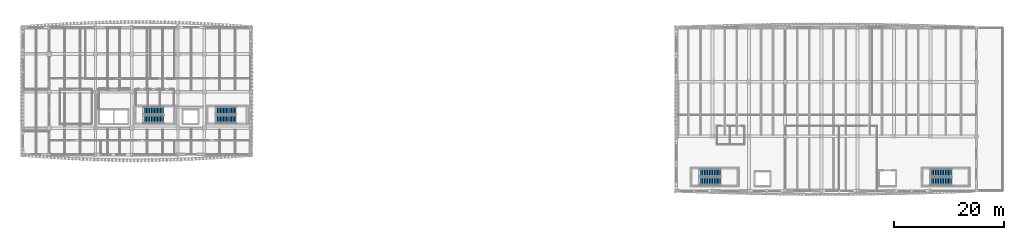
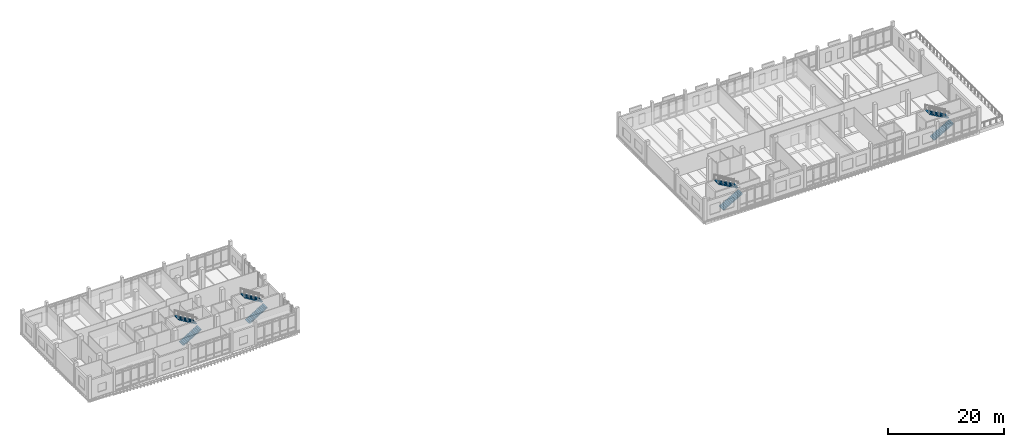
# One storey, part 26 of 39: 8 stair flights, 4 elements without a shape of their own.
"""IFC4 building model written with IfcOpenShell, lengths in metres."""

from ifc_helpers import new_model, si_unit, direction, frame, origin, place, context, subcontext, project, spatial, polyline, outline, extrude, material, type_object, element, aggregate, save


model = new_model("IFC4")

# Units and contexts
model_context = context("Model", 3, precision=1e-05, world=origin(), true_north=direction((0.0, 1.0)))
body_context = subcontext(model_context, "Body", "Model", "MODEL_VIEW")
ifc_project = project(units=[si_unit("LENGTHUNIT", "METRE"), si_unit("AREAUNIT", "SQUARE_METRE"), si_unit("VOLUMEUNIT", "CUBIC_METRE"), si_unit("PLANEANGLEUNIT", "RADIAN"), si_unit("MASSUNIT", "GRAM", prefix="KILO")], contexts=[model_context])

# Site, building, storey
site_placement = place(None, origin())
site = spatial("IfcSite", under=ifc_project, at=site_placement, CompositionType="ELEMENT")
building_placement = place(site_placement, origin())
building = spatial("IfcBuilding", under=site, at=building_placement, Name="Dornvale Research Institute", CompositionType="ELEMENT")
storey_placement = place(building_placement, frame((0.0, 0.0, 24.60009765625)))
storey = spatial("IfcBuildingStorey", under=building, at=storey_placement, Name="L05", CompositionType="ELEMENT", Elevation=24.60009765625)

# Stair, stair flights
ifc_material_1 = material(Name="Concrete f'c 45 MPa (C35/45)", Category="concrete")
stair_type = type_object("IfcStairType", Name="HalfTurnStair_RC", PredefinedType="HALF_TURN_STAIR", material=ifc_material_1)
stair_1_placement = place(storey_placement, origin())
stair_1 = element("IfcStair", 1, at=stair_1_placement, inside=storey, type_object=stair_type, Name="L05 Exit stair ST-1", PredefinedType="HALF_TURN_STAIR")
ifc_material_2 = material(Name="Concrete f'c 45 MPa (C35/45)", Category="concrete")
stair_flight_type = type_object("IfcStairFlightType", Name="StraightFlight_RC150", PredefinedType="STRAIGHT", material=ifc_material_2)
stair_flight_1_placement = place(storey_placement, frame((21.949951171875, 105.39990234375, 0.0), z_axis=(0.0, 0.0, 1.0), x_axis=(1.0, 0.0, 0.0)))
stair_flight_1 = element("IfcStairFlight", 2, at=stair_flight_1_placement, type_object=stair_flight_type, Name="ST-1 flight 1", NumberOfRisers=14, NumberOfTreads=13, PredefinedType="STRAIGHT", RiserHeight=0.171428571, TreadLength=0.28, context=body_context, shape_type="SweptSolid", body=[
    extrude(outline(polyline([(0.0, 0.0), (0.0, 0.17138671875), (0.280029296875, 0.17138671875), (0.280029296875, 0.3427734375), (0.56005859375, 0.3427734375), (0.56005859375, 0.514404296875), (0.840087890625, 0.514404296875), (0.840087890625, 0.685791015625), (1.1201171875, 0.685791015625), (1.1201171875, 0.857177734375), (1.39990234375, 0.857177734375), (1.39990234375, 1.028564453125), (1.679931640625, 1.028564453125), (1.679931640625, 1.199951171875), (1.9599609375, 1.199951171875), (1.9599609375, 1.371337890625), (2.239990234375, 1.371337890625), (2.239990234375, 1.54296875), (2.52001953125, 1.54296875), (2.52001953125, 1.71435546875), (2.800048828125, 1.71435546875), (2.800048828125, 1.8857421875), (3.080078125, 1.8857421875), (3.080078125, 2.05712890625), (3.360107421875, 2.05712890625), (3.360107421875, 2.228515625), (3.639892578125, 2.228515625), (3.639892578125, 2.39990234375), (3.639892578125, 2.052734375), (0.287109375, 0.0), (0.0, 0.0)])), frame((0.0, 0.699951171875, 0.0), z_axis=(0.0, -1.0, 0.0), x_axis=(1.0, 0.0, 0.0)), (0.0, 0.0, 1.0), 1.39990234375),
])
stair_flight_2_placement = place(storey_placement, frame((25.590087890625, 106.9599609375, 2.39990234375), z_axis=(0.0, 0.0, 1.0), x_axis=(-1.0, 0.0, 0.0)))
stair_flight_2 = element("IfcStairFlight", 3, at=stair_flight_2_placement, type_object=stair_flight_type, Name="ST-1 flight 2", NumberOfRisers=14, NumberOfTreads=13, PredefinedType="STRAIGHT", RiserHeight=0.171428571, TreadLength=0.28, context=body_context, shape_type="SweptSolid", body=[
    extrude(outline(polyline([(0.0, 0.0), (0.0, 0.17138671875), (0.280029296875, 0.17138671875), (0.280029296875, 0.3427734375), (0.56005859375, 0.3427734375), (0.56005859375, 0.514404296875), (0.840087890625, 0.514404296875), (0.840087890625, 0.685791015625), (1.1201171875, 0.685791015625), (1.1201171875, 0.857177734375), (1.39990234375, 0.857177734375), (1.39990234375, 1.028564453125), (1.679931640625, 1.028564453125), (1.679931640625, 1.199951171875), (1.9599609375, 1.199951171875), (1.9599609375, 1.371337890625), (2.239990234375, 1.371337890625), (2.239990234375, 1.54296875), (2.52001953125, 1.54296875), (2.52001953125, 1.71435546875), (2.800048828125, 1.71435546875), (2.800048828125, 1.8857421875), (3.080078125, 1.8857421875), (3.080078125, 2.05712890625), (3.360107421875, 2.05712890625), (3.360107421875, 2.228515625), (3.639892578125, 2.228515625), (3.639892578125, 2.39990234375), (3.639892578125, 2.052734375), (0.287109375, 0.0), (0.0, 0.0)])), frame((0.0, 0.699951171875, 0.0), z_axis=(0.0, -1.0, 0.0), x_axis=(1.0, 0.0, 0.0)), (0.0, 0.0, 1.0), 1.39990234375),
])
aggregate(stair_1, [stair_flight_1, stair_flight_2])

stair_2_placement = place(storey_placement, origin())
stair_2 = element("IfcStair", 4, at=stair_2_placement, inside=storey, type_object=stair_type, Name="L05 Exit stair ST-2", PredefinedType="HALF_TURN_STAIR")
stair_flight_3_placement = place(storey_placement, frame((35.10009765625, 105.39990234375, 0.0), z_axis=(0.0, 0.0, 1.0), x_axis=(1.0, 0.0, 0.0)))
stair_flight_3 = element("IfcStairFlight", 5, at=stair_flight_3_placement, type_object=stair_flight_type, Name="ST-2 flight 1", NumberOfRisers=14, NumberOfTreads=13, PredefinedType="STRAIGHT", RiserHeight=0.171428571, TreadLength=0.28, context=body_context, shape_type="SweptSolid", body=[
    extrude(outline(polyline([(0.0, 0.0), (0.0, 0.17138671875), (0.280029296875, 0.17138671875), (0.280029296875, 0.3427734375), (0.56005859375, 0.3427734375), (0.56005859375, 0.514404296875), (0.840087890625, 0.514404296875), (0.840087890625, 0.685791015625), (1.1201171875, 0.685791015625), (1.1201171875, 0.857177734375), (1.39990234375, 0.857177734375), (1.39990234375, 1.028564453125), (1.679931640625, 1.028564453125), (1.679931640625, 1.199951171875), (1.9599609375, 1.199951171875), (1.9599609375, 1.371337890625), (2.239990234375, 1.371337890625), (2.239990234375, 1.54296875), (2.52001953125, 1.54296875), (2.52001953125, 1.71435546875), (2.800048828125, 1.71435546875), (2.800048828125, 1.8857421875), (3.080078125, 1.8857421875), (3.080078125, 2.05712890625), (3.360107421875, 2.05712890625), (3.360107421875, 2.228515625), (3.639892578125, 2.228515625), (3.639892578125, 2.39990234375), (3.639892578125, 2.052734375), (0.287109375, 0.0), (0.0, 0.0)])), frame((0.0, 0.699951171875, 0.0), z_axis=(0.0, -1.0, 0.0), x_axis=(1.0, 0.0, 0.0)), (0.0, 0.0, 1.0), 1.39990234375),
])
stair_flight_4_placement = place(storey_placement, frame((38.739990234375, 106.9599609375, 2.39990234375), z_axis=(0.0, 0.0, 1.0), x_axis=(-1.0, 0.0, 0.0)))
stair_flight_4 = element("IfcStairFlight", 6, at=stair_flight_4_placement, type_object=stair_flight_type, Name="ST-2 flight 2", NumberOfRisers=14, NumberOfTreads=13, PredefinedType="STRAIGHT", RiserHeight=0.171428571, TreadLength=0.28, context=body_context, shape_type="SweptSolid", body=[
    extrude(outline(polyline([(0.0, 0.0), (0.0, 0.17138671875), (0.280029296875, 0.17138671875), (0.280029296875, 0.3427734375), (0.56005859375, 0.3427734375), (0.56005859375, 0.514404296875), (0.840087890625, 0.514404296875), (0.840087890625, 0.685791015625), (1.1201171875, 0.685791015625), (1.1201171875, 0.857177734375), (1.39990234375, 0.857177734375), (1.39990234375, 1.028564453125), (1.679931640625, 1.028564453125), (1.679931640625, 1.199951171875), (1.9599609375, 1.199951171875), (1.9599609375, 1.371337890625), (2.239990234375, 1.371337890625), (2.239990234375, 1.54296875), (2.52001953125, 1.54296875), (2.52001953125, 1.71435546875), (2.800048828125, 1.71435546875), (2.800048828125, 1.8857421875), (3.080078125, 1.8857421875), (3.080078125, 2.05712890625), (3.360107421875, 2.05712890625), (3.360107421875, 2.228515625), (3.639892578125, 2.228515625), (3.639892578125, 2.39990234375), (3.639892578125, 2.052734375), (0.287109375, 0.0), (0.0, 0.0)])), frame((0.0, 0.699951171875, 0.0), z_axis=(0.0, -1.0, 0.0), x_axis=(1.0, 0.0, 0.0)), (0.0, 0.0, 1.0), 1.39990234375),
])
aggregate(stair_2, [stair_flight_3, stair_flight_4])

stair_3_placement = place(storey_placement, origin())
stair_3 = element("IfcStair", 7, at=stair_3_placement, inside=storey, type_object=stair_type, Name="L05 Exit stair ST-3", PredefinedType="HALF_TURN_STAIR")
stair_flight_5_placement = place(storey_placement, frame((123.02001953125, 94.110107421875, 0.0), z_axis=(0.0, 0.0, 1.0), x_axis=(1.0, 0.0, 0.0)))
stair_flight_5 = element("IfcStairFlight", 8, at=stair_flight_5_placement, type_object=stair_flight_type, Name="ST-3 flight 1", NumberOfRisers=14, NumberOfTreads=13, PredefinedType="STRAIGHT", RiserHeight=0.171428571, TreadLength=0.3, context=body_context, shape_type="SweptSolid", body=[
    extrude(outline(polyline([(0.0, 0.0), (0.0, 0.17138671875), (0.300048828125, 0.17138671875), (0.300048828125, 0.3427734375), (0.60009765625, 0.3427734375), (0.60009765625, 0.514404296875), (0.89990234375, 0.514404296875), (0.89990234375, 0.685791015625), (1.199951171875, 0.685791015625), (1.199951171875, 0.857177734375), (1.5, 0.857177734375), (1.5, 1.028564453125), (1.800048828125, 1.028564453125), (1.800048828125, 1.199951171875), (2.10009765625, 1.199951171875), (2.10009765625, 1.371337890625), (2.39990234375, 1.371337890625), (2.39990234375, 1.54296875), (2.699951171875, 1.54296875), (2.699951171875, 1.71435546875), (3.0, 1.71435546875), (3.0, 1.8857421875), (3.300048828125, 1.8857421875), (3.300048828125, 2.05712890625), (3.60009765625, 2.05712890625), (3.60009765625, 2.228515625), (3.89990234375, 2.228515625), (3.89990234375, 2.39990234375), (3.89990234375, 2.055908203125), (0.30224609375, 0.0), (0.0, 0.0)])), frame((0.0, 0.7099609375, 0.0), z_axis=(0.0, -1.0, 0.0), x_axis=(1.0, 0.0, 0.0)), (0.0, 0.0, 1.0), 1.419921875),
])
stair_flight_6_placement = place(storey_placement, frame((126.919921875, 95.68994140625, 2.39990234375), z_axis=(0.0, 0.0, 1.0), x_axis=(-1.0, 0.0, 0.0)))
stair_flight_6 = element("IfcStairFlight", 9, at=stair_flight_6_placement, type_object=stair_flight_type, Name="ST-3 flight 2", NumberOfRisers=14, NumberOfTreads=13, PredefinedType="STRAIGHT", RiserHeight=0.171428571, TreadLength=0.3, context=body_context, shape_type="SweptSolid", body=[
    extrude(outline(polyline([(0.0, 0.0), (0.0, 0.17138671875), (0.300048828125, 0.17138671875), (0.300048828125, 0.3427734375), (0.60009765625, 0.3427734375), (0.60009765625, 0.514404296875), (0.89990234375, 0.514404296875), (0.89990234375, 0.685791015625), (1.199951171875, 0.685791015625), (1.199951171875, 0.857177734375), (1.5, 0.857177734375), (1.5, 1.028564453125), (1.800048828125, 1.028564453125), (1.800048828125, 1.199951171875), (2.10009765625, 1.199951171875), (2.10009765625, 1.371337890625), (2.39990234375, 1.371337890625), (2.39990234375, 1.54296875), (2.699951171875, 1.54296875), (2.699951171875, 1.71435546875), (3.0, 1.71435546875), (3.0, 1.8857421875), (3.300048828125, 1.8857421875), (3.300048828125, 2.05712890625), (3.60009765625, 2.05712890625), (3.60009765625, 2.228515625), (3.89990234375, 2.228515625), (3.89990234375, 2.39990234375), (3.89990234375, 2.055908203125), (0.30224609375, 0.0), (0.0, 0.0)])), frame((0.0, 0.7099609375, 0.0), z_axis=(0.0, -1.0, 0.0), x_axis=(1.0, 0.0, 0.0)), (0.0, 0.0, 1.0), 1.419921875),
])
aggregate(stair_3, [stair_flight_5, stair_flight_6])

stair_4_placement = place(storey_placement, origin())
stair_4 = element("IfcStair", 10, at=stair_4_placement, inside=storey, type_object=stair_type, Name="L05 Exit stair ST-4", PredefinedType="HALF_TURN_STAIR")
stair_flight_7_placement = place(storey_placement, frame((165.02001953125, 94.110107421875, 0.0), z_axis=(0.0, 0.0, 1.0), x_axis=(1.0, 0.0, 0.0)))
stair_flight_7 = element("IfcStairFlight", 11, at=stair_flight_7_placement, type_object=stair_flight_type, Name="ST-4 flight 1", NumberOfRisers=14, NumberOfTreads=13, PredefinedType="STRAIGHT", RiserHeight=0.171428571, TreadLength=0.3, context=body_context, shape_type="SweptSolid", body=[
    extrude(outline(polyline([(0.0, 0.0), (0.0, 0.17138671875), (0.300048828125, 0.17138671875), (0.300048828125, 0.3427734375), (0.60009765625, 0.3427734375), (0.60009765625, 0.514404296875), (0.89990234375, 0.514404296875), (0.89990234375, 0.685791015625), (1.199951171875, 0.685791015625), (1.199951171875, 0.857177734375), (1.5, 0.857177734375), (1.5, 1.028564453125), (1.800048828125, 1.028564453125), (1.800048828125, 1.199951171875), (2.10009765625, 1.199951171875), (2.10009765625, 1.371337890625), (2.39990234375, 1.371337890625), (2.39990234375, 1.54296875), (2.699951171875, 1.54296875), (2.699951171875, 1.71435546875), (3.0, 1.71435546875), (3.0, 1.8857421875), (3.300048828125, 1.8857421875), (3.300048828125, 2.05712890625), (3.60009765625, 2.05712890625), (3.60009765625, 2.228515625), (3.89990234375, 2.228515625), (3.89990234375, 2.39990234375), (3.89990234375, 2.055908203125), (0.30224609375, 0.0), (0.0, 0.0)])), frame((0.0, 0.7099609375, 0.0), z_axis=(0.0, -1.0, 0.0), x_axis=(1.0, 0.0, 0.0)), (0.0, 0.0, 1.0), 1.419921875),
])
stair_flight_8_placement = place(storey_placement, frame((168.919921875, 95.68994140625, 2.39990234375), z_axis=(0.0, 0.0, 1.0), x_axis=(-1.0, 0.0, 0.0)))
stair_flight_8 = element("IfcStairFlight", 12, at=stair_flight_8_placement, type_object=stair_flight_type, Name="ST-4 flight 2", NumberOfRisers=14, NumberOfTreads=13, PredefinedType="STRAIGHT", RiserHeight=0.171428571, TreadLength=0.3, context=body_context, shape_type="SweptSolid", body=[
    extrude(outline(polyline([(0.0, 0.0), (0.0, 0.17138671875), (0.300048828125, 0.17138671875), (0.300048828125, 0.3427734375), (0.60009765625, 0.3427734375), (0.60009765625, 0.514404296875), (0.89990234375, 0.514404296875), (0.89990234375, 0.685791015625), (1.199951171875, 0.685791015625), (1.199951171875, 0.857177734375), (1.5, 0.857177734375), (1.5, 1.028564453125), (1.800048828125, 1.028564453125), (1.800048828125, 1.199951171875), (2.10009765625, 1.199951171875), (2.10009765625, 1.371337890625), (2.39990234375, 1.371337890625), (2.39990234375, 1.54296875), (2.699951171875, 1.54296875), (2.699951171875, 1.71435546875), (3.0, 1.71435546875), (3.0, 1.8857421875), (3.300048828125, 1.8857421875), (3.300048828125, 2.05712890625), (3.60009765625, 2.05712890625), (3.60009765625, 2.228515625), (3.89990234375, 2.228515625), (3.89990234375, 2.39990234375), (3.89990234375, 2.055908203125), (0.30224609375, 0.0), (0.0, 0.0)])), frame((0.0, 0.7099609375, 0.0), z_axis=(0.0, -1.0, 0.0), x_axis=(1.0, 0.0, 0.0)), (0.0, 0.0, 1.0), 1.419921875),
])
aggregate(stair_4, [stair_flight_7, stair_flight_8])

save(model, "model.ifc")
